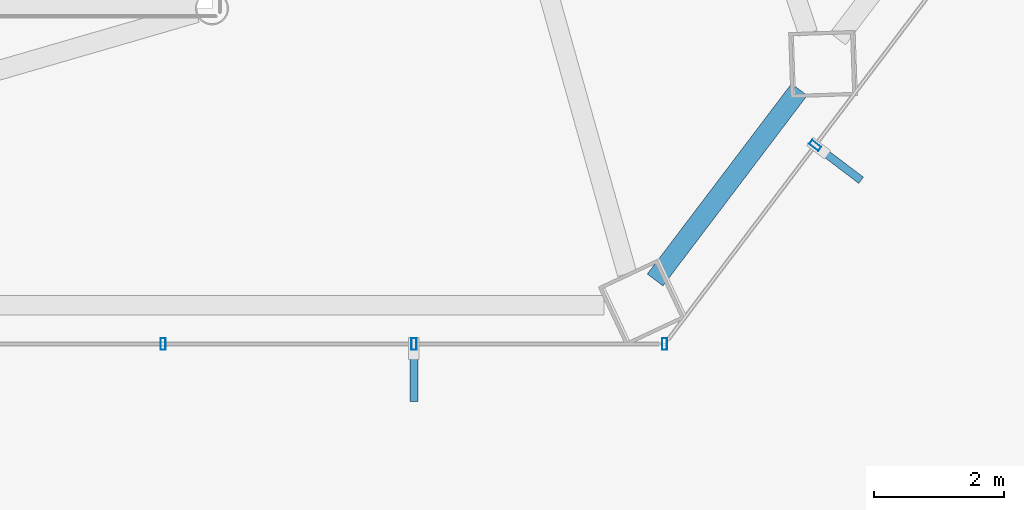
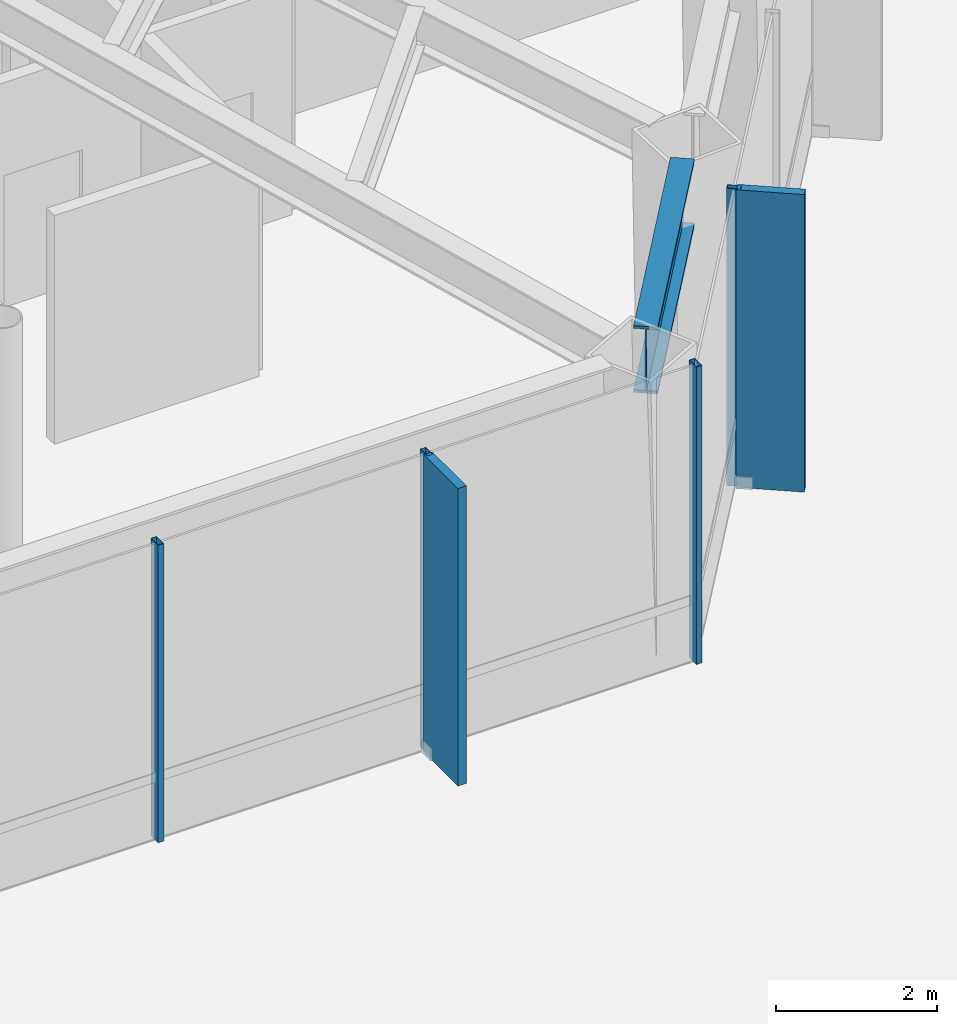
# One storey, part 8 of 30: 6 members, 1 beam, 2 elements without a shape of their own.
"""IFC4 building model written with IfcOpenShell, lengths in metres."""

from ifc_helpers import new_model, si_unit, direction, frame, origin, origin_2d, place, context, subcontext, project, spatial, rectangle, hollow_rectangle, i_section, extrude, material, layer, layer_set, material_profile, profile_set, type_object, element, aggregate, save


model = new_model("IFC4")

# Units and contexts
model_context = context("Model", 3, precision=1e-05, world=origin(), true_north=direction((0.0, 1.0)))
body_context = subcontext(model_context, "Body", "Model", "MODEL_VIEW")
ifc_project = project(units=[si_unit("LENGTHUNIT", "METRE"), si_unit("AREAUNIT", "SQUARE_METRE"), si_unit("VOLUMEUNIT", "CUBIC_METRE"), si_unit("PLANEANGLEUNIT", "RADIAN"), si_unit("MASSUNIT", "GRAM", prefix="KILO")], contexts=[model_context])

# Site, building, storey
site_placement = place(None, origin())
site = spatial("IfcSite", under=ifc_project, at=site_placement, CompositionType="ELEMENT")
building_placement = place(site_placement, origin())
building = spatial("IfcBuilding", under=site, at=building_placement, Name="Zarrinselat Tower", CompositionType="ELEMENT")
storey_placement = place(building_placement, frame((0.0, 0.0, 22.780029296875)))
storey = spatial("IfcBuildingStorey", under=building, at=storey_placement, Name="L05", CompositionType="ELEMENT", Elevation=22.780029296875)

# Beam
ifc_material_1 = material(Name="Steel S460M", Category="steel")
ifc_material_profile_1 = material_profile(ifc_material_1, i_section(OverallWidth=0.302001953125, OverallDepth=1.008056640625, WebThickness=0.02099609375, FlangeThickness=0.0400390625, at=origin_2d()), Name="HEM 1000")
ifc_profile_set_1 = profile_set([ifc_material_profile_1], Name="Steel S460M")
beam_type = type_object("IfcBeamType", Name="BM-HEM1000", PredefinedType="BEAM", material=ifc_profile_set_1)
beam_placement = place(storey_placement, frame((49.802978515625, 20.2294921875, 3.995849609375), z_axis=(0.603869220808, 0.797083411043, 0.0), x_axis=(-0.797083411043, 0.603869220808, 0.0)))
element("IfcBeam", 1, at=beam_placement, inside=storey, type_object=beam_type, Name="L05 Perimeter Spandrel Girder SP11", PredefinedType="BEAM", context=body_context, shape_type="SweptSolid", body=[
    extrude(i_section(OverallWidth=0.302001953125, OverallDepth=1.008056640625, WebThickness=0.02099609375, FlangeThickness=0.0400390625, at=origin_2d()), origin(), (0.0, 0.0, 1.0), 3.668212890625),
])

# Curtain wall, members
ifc_material_2 = material(Name="Extruded Aluminium Alloy EN AW-6063 T6", Category="aluminium")
ifc_layer = layer(ifc_material_2, 0.195068359375)
ifc_layer_set = layer_set([ifc_layer], Name="Extruded Aluminium Alloy EN AW-6063 T6")
curtain_wall_type = type_object("IfcCurtainWallType", Name="CWS-GDN", PredefinedType="NOTDEFINED", material=ifc_layer_set)
curtain_wall_1_placement = place(storey_placement, origin())
curtain_wall_1 = element("IfcCurtainWall", 2, at=curtain_wall_1_placement, inside=storey, type_object=curtain_wall_type, Name="L05 Unitised Curtain Wall CW-L05-E04", PredefinedType="NOTDEFINED")
ifc_material_3 = material(Name="Extruded Aluminium Alloy EN AW-6063 T6", Category="aluminium")
ifc_material_profile_2 = material_profile(ifc_material_3, hollow_rectangle(XDim=0.080078125, YDim=0.179931640625, WallThickness=0.0048828125, at=origin_2d()), Name="RHS 180x80x5")
ifc_profile_set_2 = profile_set([ifc_material_profile_2], Name="Extruded Aluminium Alloy EN AW-6063 T6")
member_type_1 = type_object("IfcMemberType", Name="MEM-CW-MUL", PredefinedType="MULLION", material=ifc_profile_set_2)
member_1_placement = place(storey_placement, frame((42.25, 19.24609375, 0.0), z_axis=(0.0, 0.0, 1.0), x_axis=(1.0, 0.0, 0.0)))
member_1 = element("IfcMember", 3, at=member_1_placement, type_object=member_type_1, Name="CW-L05-E04 Mullion 4", PredefinedType="MULLION", context=body_context, shape_type="SweptSolid", body=[
    extrude(hollow_rectangle(XDim=0.080078125, YDim=0.179931640625, WallThickness=0.0048828125, at=origin_2d()), origin(), (0.0, 0.0, 1.0), 4.5),
])
member_2_placement = place(storey_placement, frame((46.10009765625, 19.24609375, 0.0), z_axis=(0.0, 0.0, 1.0), x_axis=(1.0, 0.0, 0.0)))
member_2 = element("IfcMember", 4, at=member_2_placement, type_object=member_type_1, Name="CW-L05-E04 Mullion 5", PredefinedType="MULLION", context=body_context, shape_type="SweptSolid", body=[
    extrude(hollow_rectangle(XDim=0.080078125, YDim=0.179931640625, WallThickness=0.0048828125, at=origin_2d()), origin(), (0.0, 0.0, 1.0), 4.5),
])
member_3_placement = place(storey_placement, frame((49.949951171875, 19.24609375, 0.0), z_axis=(0.0, 0.0, 1.0), x_axis=(1.0, 0.0, 0.0)))
member_3 = element("IfcMember", 5, at=member_3_placement, type_object=member_type_1, Name="CW-L05-E04 Mullion 6", PredefinedType="MULLION", context=body_context, shape_type="SweptSolid", body=[
    extrude(hollow_rectangle(XDim=0.080078125, YDim=0.179931640625, WallThickness=0.0048828125, at=origin_2d()), origin(), (0.0, 0.0, 1.0), 4.5),
])

# Curtain wall, member
curtain_wall_2_placement = place(storey_placement, origin())
curtain_wall_2 = element("IfcCurtainWall", 6, at=curtain_wall_2_placement, inside=storey, type_object=curtain_wall_type, Name="L05 Unitised Curtain Wall CW-L05-E05", PredefinedType="NOTDEFINED")
member_4_placement = place(storey_placement, frame((52.260009765625, 22.295166015625, 0.0), z_axis=(0.0, 0.0, 1.0), x_axis=(0.603857687995, 0.797092148154, 0.0)))
member_4 = element("IfcMember", 7, at=member_4_placement, type_object=member_type_1, Name="CW-L05-E05 Mullion 1", PredefinedType="MULLION", context=body_context, shape_type="SweptSolid", body=[
    extrude(hollow_rectangle(XDim=0.080078125, YDim=0.179931640625, WallThickness=0.0048828125, at=origin_2d()), origin(), (0.0, 0.0, 1.0), 4.5),
])

# Member
ifc_material_4 = material(Name="Honed Cream Travertine Stone", Category="masonry")
ifc_material_profile_3 = material_profile(ifc_material_4, rectangle(XDim=0.1201171875, YDim=0.85009765625, at=origin_2d()), Name="FIN 850x120")
ifc_profile_set_3 = profile_set([ifc_material_profile_3], Name="Honed Cream Travertine Stone")
member_type_2 = type_object("IfcMemberType", Name="MEM-STONE-FIN", PredefinedType="USERDEFINED", material=ifc_profile_set_3)
member_5_placement = place(storey_placement, frame((46.10009765625, 18.785888671875, 0.0), z_axis=(0.0, 0.0, 1.0), x_axis=(-1.0, 0.0, 0.0)))
member_5 = element("IfcMember", 8, at=member_5_placement, type_object=member_type_2, Name="L05 Stone Shading Fin CW-L05-E04-05", ObjectType="FIN", PredefinedType="USERDEFINED", context=body_context, shape_type="SweptSolid", body=[
    extrude(rectangle(XDim=0.1201171875, YDim=0.85009765625, at=origin_2d()), origin(), (0.0, 0.0, 1.0), 4.5),
])

aggregate(curtain_wall_1, [member_1, member_2, member_5, member_3])

member_6_placement = place(storey_placement, frame((52.626708984375, 22.017333984375, 0.0), z_axis=(0.0, 0.0, 1.0), x_axis=(-0.603857687995, -0.797092148154, 0.0)))
member_6 = element("IfcMember", 9, at=member_6_placement, type_object=member_type_2, Name="L05 Stone Shading Fin CW-L05-E05-01", ObjectType="FIN", PredefinedType="USERDEFINED", context=body_context, shape_type="SweptSolid", body=[
    extrude(rectangle(XDim=0.1201171875, YDim=0.85009765625, at=origin_2d()), origin(), (0.0, 0.0, 1.0), 4.5),
])

aggregate(curtain_wall_2, [member_4, member_6])

save(model, "model.ifc")
